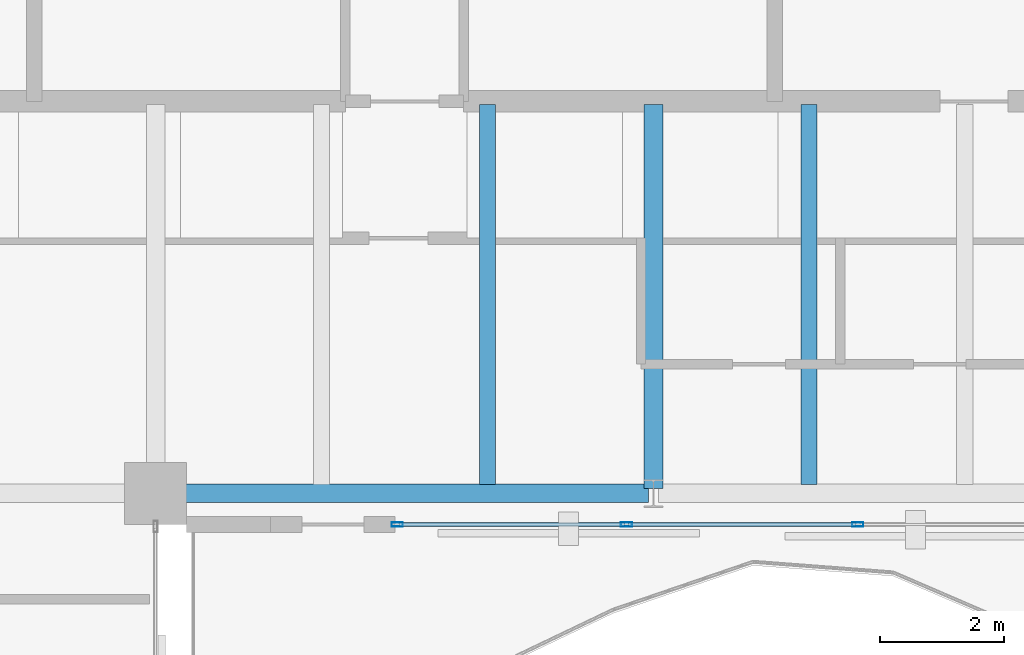
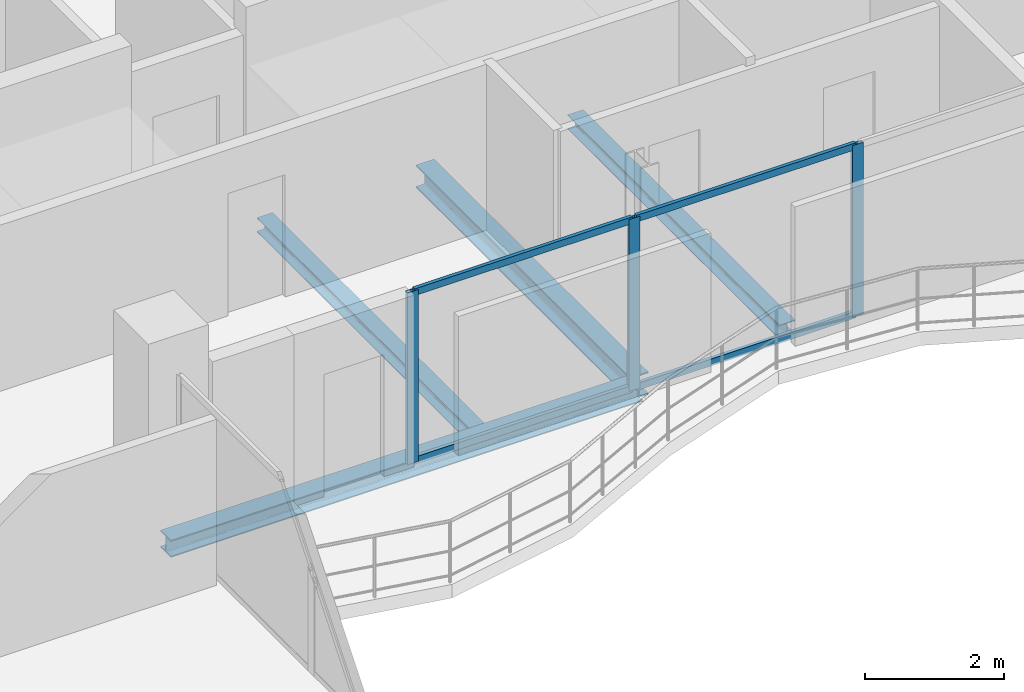
# One storey, part 11 of 23: 7 members, 4 beams, 1 element without a shape of its own.
"""IFC4 building model written with IfcOpenShell, lengths in metres."""

from ifc_helpers import new_model, si_unit, direction, frame, origin, origin_2d, place, context, subcontext, project, spatial, hollow_rectangle, i_section, extrude, material, layer, layer_set, material_profile, profile_set, type_object, element, aggregate, save


model = new_model("IFC4")

# Units and contexts
model_context = context("Model", 3, precision=1e-05, world=origin(), true_north=direction((0.0, 1.0)))
body_context = subcontext(model_context, "Body", "Model", "MODEL_VIEW")
ifc_project = project(units=[si_unit("LENGTHUNIT", "METRE"), si_unit("AREAUNIT", "SQUARE_METRE"), si_unit("VOLUMEUNIT", "CUBIC_METRE"), si_unit("PLANEANGLEUNIT", "RADIAN"), si_unit("MASSUNIT", "GRAM", prefix="KILO")], contexts=[model_context])

# Site, building, storey
site_placement = place(None, origin())
site = spatial("IfcSite", under=ifc_project, at=site_placement, CompositionType="ELEMENT")
building_placement = place(site_placement, origin())
building = spatial("IfcBuilding", under=site, at=building_placement, Name="Catumbela Crestline Tower", CompositionType="ELEMENT")
storey_placement = place(building_placement, frame((0.0, 0.0, 193.8)))
storey = spatial("IfcBuildingStorey", under=building, at=storey_placement, Name="L50", CompositionType="ELEMENT", Elevation=193.8)

# Beams
ifc_material_1 = material(Name="Structural steel S355J2", Category="steel")
ifc_material_profile_1 = material_profile(ifc_material_1, i_section(OverallWidth=0.3, OverallDepth=0.4, WebThickness=0.0135, FlangeThickness=0.024, FilletRadius=0.027, at=origin_2d()), Name="HEB 400")
ifc_profile_set_1 = profile_set([ifc_material_profile_1], Name="Structural steel S355J2")
beam_type_1 = type_object("IfcBeamType", Name="BG-HEB400", PredefinedType="BEAM", material=ifc_profile_set_1)
beam_1_placement = place(storey_placement, frame((32.0, 24.58, -0.46), z_axis=(0.0, 1.0, 0.0), x_axis=(-1.0, 0.0, 0.0)))
element("IfcBeam", 1, at=beam_1_placement, inside=storey, type_object=beam_type_1, Name="L50 Beam BM-L50-SNS19", PredefinedType="BEAM", context=body_context, shape_type="SweptSolid", body=[
    extrude(i_section(OverallWidth=0.3, OverallDepth=0.4, WebThickness=0.0135, FlangeThickness=0.024, FilletRadius=0.027, at=origin_2d()), origin(), (0.0, 0.0, 1.0), 6.17),
])
ifc_material_profile_2 = material_profile(ifc_material_1, i_section(OverallWidth=0.26, OverallDepth=0.25, WebThickness=0.0075, FlangeThickness=0.0125, FilletRadius=0.024, at=origin_2d()), Name="HEA 260")
ifc_profile_set_2 = profile_set([ifc_material_profile_2], Name="Structural steel S355J2")
beam_type_2 = type_object("IfcBeamType", Name="BJ-HEA260", PredefinedType="JOIST", material=ifc_profile_set_2)
for number, where, z_axis, x_axis, name in (
    (2, (29.333, 24.647, -0.385), (0.0, 1.0, 0.0), (-1.0, 0.0, 0.0), "L50 Joist JS-L50-SP29"),
    (3, (34.5, 24.647, -0.385), (0.0, 1.0, 0.0), (-1.0, 0.0, 0.0), "L50 Joist JS-L50-SP30"),
):
    element("IfcBeam", number, at=place(storey_placement, frame(where, z_axis=z_axis, x_axis=x_axis)), inside=storey, type_object=beam_type_2, Name=name, PredefinedType="JOIST", context=body_context, shape_type="SweptSolid", body=[
        extrude(i_section(OverallWidth=0.26, OverallDepth=0.25, WebThickness=0.0075, FlangeThickness=0.0125, FilletRadius=0.024, at=origin_2d()), origin(), (0.0, 0.0, 1.0), 6.103),
    ])

# Curtain wall, members
ifc_material_2 = material(Name="Aluminium alloy AW-6060-T66", Category="aluminium")
ifc_layer = layer(ifc_material_2, 0.18, Name="Aluminium alloy AW-6060-T66")
ifc_layer_set = layer_set([ifc_layer], Name="Aluminium alloy AW-6060-T66")
curtain_wall_type = type_object("IfcCurtainWallType", Name="CWU-Z3", PredefinedType="USERDEFINED", material=ifc_layer_set)
curtain_wall_placement = place(storey_placement, origin())
curtain_wall = element("IfcCurtainWall", 4, at=curtain_wall_placement, inside=storey, type_object=curtain_wall_type, Name="L50 Unitised Curtain Wall CW-L50-E3S2", ObjectType="UNITISED", PredefinedType="USERDEFINED")
ifc_material_profile_3 = material_profile(ifc_material_2, hollow_rectangle(XDim=0.065, YDim=0.18, WallThickness=0.004, at=origin_2d()), Name="ALU 180x65x4")
ifc_profile_set_3 = profile_set([ifc_material_profile_3], Name="Aluminium alloy AW-6060-T66")
member_type_1 = type_object("IfcMemberType", Name="MUL-180X65", PredefinedType="MULLION", material=ifc_profile_set_3)
member_1_placement = place(storey_placement, frame((27.8825, 24.0, 0.0), z_axis=(0.0, 0.0, 1.0), x_axis=(0.0, 1.0, 0.0)))
member_1 = element("IfcMember", 5, at=member_1_placement, type_object=member_type_1, Name="CWU-Z3 mullion 1", PredefinedType="MULLION", context=body_context, shape_type="SweptSolid", body=[
    extrude(hollow_rectangle(XDim=0.065, YDim=0.18, WallThickness=0.004, at=origin_2d()), origin(), (0.0, 0.0, 1.0), 3.02),
])
member_2_placement = place(storey_placement, frame((31.5667, 24.0, 0.0), z_axis=(0.0, 0.0, 1.0), x_axis=(0.0, 1.0, 0.0)))
member_2 = element("IfcMember", 6, at=member_2_placement, type_object=member_type_1, Name="CWU-Z3 mullion 2", PredefinedType="MULLION", context=body_context, shape_type="SweptSolid", body=[
    extrude(hollow_rectangle(XDim=0.065, YDim=0.18, WallThickness=0.004, at=origin_2d()), origin(), (0.0, 0.0, 1.0), 3.02),
])
member_3_placement = place(storey_placement, frame((35.2833, 24.0, 0.0), z_axis=(0.0, 0.0, 1.0), x_axis=(0.0, 1.0, 0.0)))
member_3 = element("IfcMember", 7, at=member_3_placement, type_object=member_type_1, Name="CWU-Z3 mullion 3", PredefinedType="MULLION", context=body_context, shape_type="SweptSolid", body=[
    extrude(hollow_rectangle(XDim=0.065, YDim=0.18, WallThickness=0.004, at=origin_2d()), origin(), (0.0, 0.0, 1.0), 3.02),
])

# Beam
ifc_material_profile_4 = material_profile(ifc_material_1, i_section(OverallWidth=0.3, OverallDepth=0.3, WebThickness=0.011, FlangeThickness=0.019, FilletRadius=0.027, at=origin_2d()), Name="HEB 300")
ifc_profile_set_4 = profile_set([ifc_material_profile_4], Name="Structural steel S355J2")
beam_type_3 = type_object("IfcBeamType", Name="BS-HEB300", PredefinedType="SPANDREL", material=ifc_profile_set_4)
beam_2_placement = place(storey_placement, frame((24.08, 24.5, -0.41), z_axis=(1.0, 0.0, 0.0), x_axis=(0.0, 1.0, 0.0)))
element("IfcBeam", 8, at=beam_2_placement, inside=storey, type_object=beam_type_3, Name="L50 Spandrel SP-L50-S04", PredefinedType="SPANDREL", context=body_context, shape_type="SweptSolid", body=[
    extrude(i_section(OverallWidth=0.3, OverallDepth=0.3, WebThickness=0.011, FlangeThickness=0.019, FilletRadius=0.027, at=origin_2d()), origin(), (0.0, 0.0, 1.0), 7.84),
])

# Member
ifc_material_profile_5 = material_profile(ifc_material_2, hollow_rectangle(XDim=0.06, YDim=0.12, WallThickness=0.0035, at=origin_2d()), Name="ALU 120x60x3.5")
ifc_profile_set_5 = profile_set([ifc_material_profile_5], Name="Aluminium alloy AW-6060-T66")
member_type_2 = type_object("IfcMemberType", Name="TRN-120X60", PredefinedType="USERDEFINED", material=ifc_profile_set_5)
member_4_placement = place(storey_placement, frame((27.915, 24.0, 0.03), z_axis=(1.0, 0.0, 0.0), x_axis=(0.0, 1.0, 0.0)))
member_4 = element("IfcMember", 9, at=member_4_placement, type_object=member_type_2, Name="CWU-Z3 transom 1.1", ObjectType="TRANSOM", PredefinedType="USERDEFINED", context=body_context, shape_type="SweptSolid", body=[
    extrude(hollow_rectangle(XDim=0.06, YDim=0.12, WallThickness=0.0035, at=origin_2d()), origin(), (0.0, 0.0, 1.0), 3.6192),
])

member_5_placement = place(storey_placement, frame((27.915, 24.0, 2.99), z_axis=(1.0, 0.0, 0.0), x_axis=(0.0, 1.0, 0.0)))
member_5 = element("IfcMember", 10, at=member_5_placement, type_object=member_type_2, Name="CWU-Z3 transom 1.2", ObjectType="TRANSOM", PredefinedType="USERDEFINED", context=body_context, shape_type="SweptSolid", body=[
    extrude(hollow_rectangle(XDim=0.06, YDim=0.12, WallThickness=0.0035, at=origin_2d()), origin(), (0.0, 0.0, 1.0), 3.6192),
])

member_6_placement = place(storey_placement, frame((31.5992, 24.0, 0.03), z_axis=(1.0, 0.0, 0.0), x_axis=(0.0, 1.0, 0.0)))
member_6 = element("IfcMember", 11, at=member_6_placement, type_object=member_type_2, Name="CWU-Z3 transom 2.1", ObjectType="TRANSOM", PredefinedType="USERDEFINED", context=body_context, shape_type="SweptSolid", body=[
    extrude(hollow_rectangle(XDim=0.06, YDim=0.12, WallThickness=0.0035, at=origin_2d()), origin(), (0.0, 0.0, 1.0), 3.6516),
])

member_7_placement = place(storey_placement, frame((31.5992, 24.0, 2.99), z_axis=(1.0, 0.0, 0.0), x_axis=(0.0, 1.0, 0.0)))
member_7 = element("IfcMember", 12, at=member_7_placement, type_object=member_type_2, Name="CWU-Z3 transom 2.2", ObjectType="TRANSOM", PredefinedType="USERDEFINED", context=body_context, shape_type="SweptSolid", body=[
    extrude(hollow_rectangle(XDim=0.06, YDim=0.12, WallThickness=0.0035, at=origin_2d()), origin(), (0.0, 0.0, 1.0), 3.6516),
])

aggregate(curtain_wall, [member_1, member_2, member_3, member_4, member_5, member_6, member_7])

save(model, "model.ifc")
